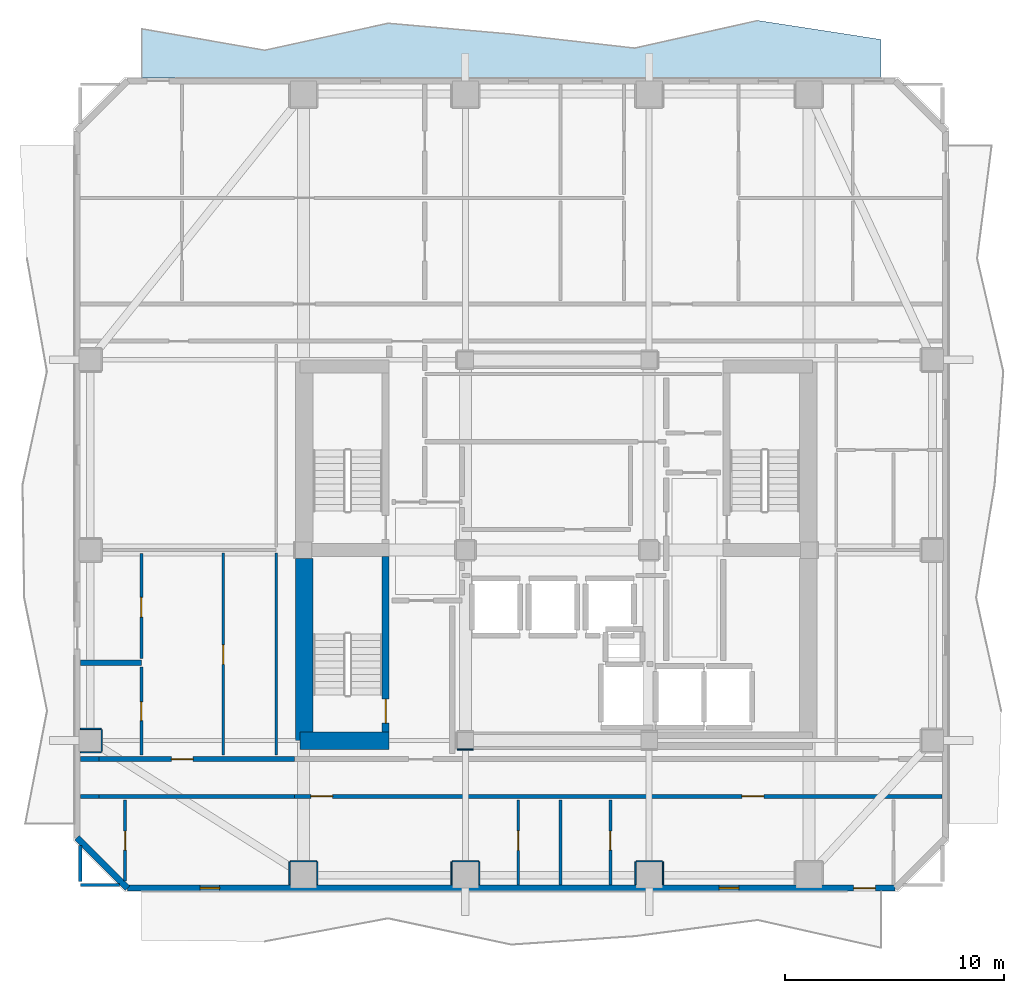
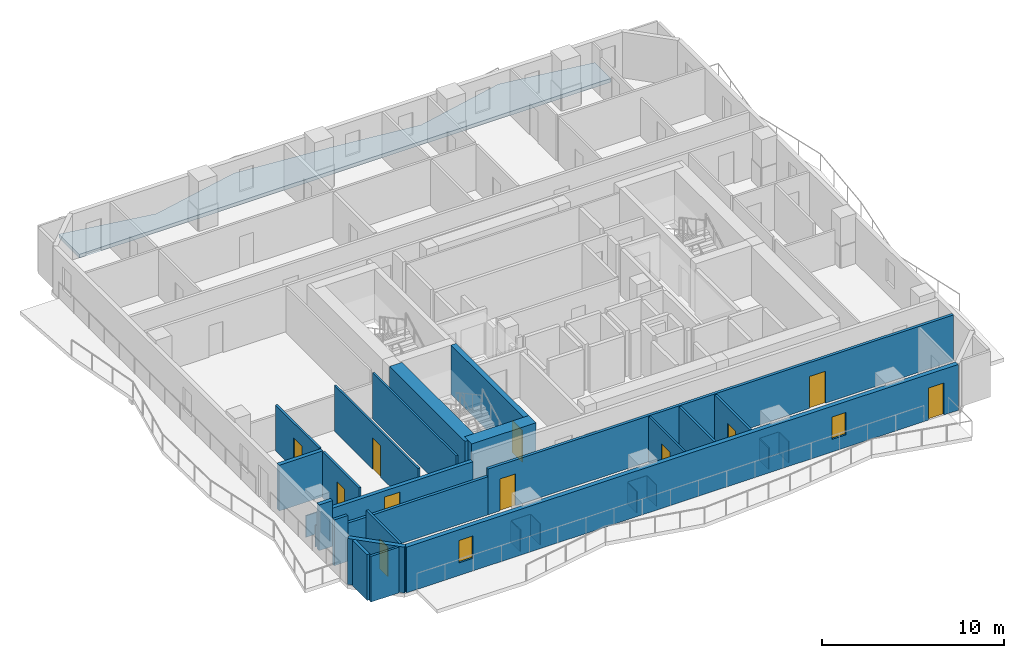
# One storey, part 2 of 11: 34 walls, 11 doors, 2 windows, 1 slab, 13 openings.
"""IFC4 building model written with IfcOpenShell, lengths in metres."""

from ifc_helpers import new_model, si_unit, direction, frame, frame_2d, origin, place, context, subcontext, project, spatial, polyline, rectangle, outline, extrude, material, layer, layer_set, type_object, element, fill, save


model = new_model("IFC4")

# Units and contexts
model_context = context("Model", 3, precision=1e-05, world=origin(), true_north=direction((0.0, 1.0)))
body_context = subcontext(model_context, "Body", "Model", "MODEL_VIEW")
ifc_project = project(units=[si_unit("LENGTHUNIT", "METRE"), si_unit("AREAUNIT", "SQUARE_METRE"), si_unit("VOLUMEUNIT", "CUBIC_METRE"), si_unit("PLANEANGLEUNIT", "RADIAN"), si_unit("MASSUNIT", "GRAM", prefix="KILO")], contexts=[model_context])

# Site, building, storey
site_placement = place(None, origin())
site = spatial("IfcSite", under=ifc_project, at=site_placement, CompositionType="ELEMENT")
building_placement = place(site_placement, origin())
building = spatial("IfcBuilding", under=site, at=building_placement, Name="Solanera Arch Residences", CompositionType="ELEMENT")
storey_placement = place(building_placement, frame((0.0, 0.0, 180.199951171875)))
storey = spatial("IfcBuildingStorey", under=building, at=storey_placement, Name="L52", CompositionType="ELEMENT", Elevation=180.199951171875)

# Slab
ifc_material_1 = material(Name="Concrete C40/50 (f'c = 45 MPa)", Category="concrete")
ifc_layer_1 = layer(ifc_material_1, 0.25)
ifc_layer_set_1 = layer_set([ifc_layer_1], Name="Concrete C40/50 (f'c = 45 MPa)")
slab_type = type_object("IfcSlabType", Name="Balcony Slab 250", PredefinedType="FLOOR", material=ifc_layer_set_1)
slab_placement = place(storey_placement, frame((0.0, 0.0, -0.25)))
element("IfcSlab", 1, at=slab_placement, inside=storey, type_object=slab_type, Name="L52 N Rippling Brise-Soleil Balcony Slab", PredefinedType="FLOOR", context=body_context, shape_type="SweptSolid", body=[
    extrude(outline(polyline([(39.800048828125, 54.0380859375), (34.1669921875, 54.906005859375), (28.532958984375, 53.64501953125), (22.89990234375, 54.285888671875), (17.26708984375, 54.780029296875), (11.633056640625, 53.548095703125), (6.0, 54.529052734375), (6.0, 52.280029296875), (39.800048828125, 52.280029296875), (39.800048828125, 54.0380859375)])), origin(), (0.0, 0.0, 1.0), 0.25),
])

# Walls
ifc_material_2 = material(Name="Fire-Rated Gypsum Stud Partition", Category="gypsum")
ifc_layer_2 = layer(ifc_material_2, 0.06005859375)
ifc_layer_set_2 = layer_set([ifc_layer_2], Name="Fire-Rated Gypsum Stud Partition")
wall_type_1 = type_object("IfcWallType", Name="Column Acoustic Furring Wall 60", PredefinedType="PARTITIONING", material=ifc_layer_set_2)
wall_1_placement = place(storey_placement, frame((20.425048828125, 21.593017578125, 0.0), z_axis=(0.0, 0.0, 1.0), x_axis=(1.0, 0.0, 0.0)))
element("IfcWall", 2, at=wall_1_placement, inside=storey, type_object=wall_type_1, Name="L52 Column Furring 1S", PredefinedType="PARTITIONING", context=body_context, shape_type="SweptSolid", body=[
    extrude(rectangle(XDim=0.741943359375, YDim=0.06005859375, at=frame_2d((0.37109375, 0.0))), origin(), (0.0, 0.0, 1.0), 1.449951171875),
])
wall_2_placement = place(storey_placement, frame((12.800048828125, 16.48193359375, 0.0), z_axis=(0.0, 0.0, 1.0), x_axis=(1.0, 0.0, 0.0)))
element("IfcWall", 3, at=wall_2_placement, inside=storey, type_object=wall_type_1, Name="L52 Column Furring 9N", PredefinedType="PARTITIONING", context=body_context, shape_type="SweptSolid", body=[
    extrude(rectangle(XDim=1.199951171875, YDim=0.06005859375, at=frame_2d((0.60009765625, 0.0))), origin(), (0.0, 0.0, 1.0), 1.449951171875),
])
for number, where, z_axis, x_axis, name in (
    (4, (12.76806640625, 15.409912109375, 0.0), (0.0, 0.0, 1.0), (0.0, 1.0, 0.0), "L52 Column Furring 9W"),
    (5, (14.031982421875, 15.409912109375, 0.0), (0.0, 0.0, 1.0), (0.0, 1.0, 0.0), "L52 Column Furring 9E"),
):
    element("IfcWall", number, at=place(storey_placement, frame(where, z_axis=z_axis, x_axis=x_axis)), inside=storey, type_object=wall_type_1, Name=name, PredefinedType="PARTITIONING", context=body_context, shape_type="SweptSolid", body=[
        extrude(rectangle(XDim=1.0400390625, YDim=0.06005859375, at=frame_2d((0.52001953125, 0.0))), origin(), (0.0, 0.0, 1.0), 1.449951171875),
    ])
wall_3_placement = place(storey_placement, frame((20.199951171875, 16.48193359375, 0.0), z_axis=(0.0, 0.0, 1.0), x_axis=(1.0, 0.0, 0.0)))
element("IfcWall", 6, at=wall_3_placement, inside=storey, type_object=wall_type_1, Name="L52 Column Furring 11N", PredefinedType="PARTITIONING", context=body_context, shape_type="SweptSolid", body=[
    extrude(rectangle(XDim=1.199951171875, YDim=0.06005859375, at=frame_2d((0.60009765625, 0.0))), origin(), (0.0, 0.0, 1.0), 1.449951171875),
])
for number, where, z_axis, x_axis, name in (
    (7, (20.16796875, 15.409912109375, 0.0), (0.0, 0.0, 1.0), (0.0, 1.0, 0.0), "L52 Column Furring 11W"),
    (8, (21.431884765625, 15.409912109375, 0.0), (0.0, 0.0, 1.0), (0.0, 1.0, 0.0), "L52 Column Furring 11E"),
):
    element("IfcWall", number, at=place(storey_placement, frame(where, z_axis=z_axis, x_axis=x_axis)), inside=storey, type_object=wall_type_1, Name=name, PredefinedType="PARTITIONING", context=body_context, shape_type="SweptSolid", body=[
        extrude(rectangle(XDim=1.0400390625, YDim=0.06005859375, at=frame_2d((0.52001953125, 0.0))), origin(), (0.0, 0.0, 1.0), 1.449951171875),
    ])
wall_4_placement = place(storey_placement, frame((28.60009765625, 16.48193359375, 0.0), z_axis=(0.0, 0.0, 1.0), x_axis=(1.0, 0.0, 0.0)))
element("IfcWall", 9, at=wall_4_placement, inside=storey, type_object=wall_type_1, Name="L52 Column Furring 13N", PredefinedType="PARTITIONING", context=body_context, shape_type="SweptSolid", body=[
    extrude(rectangle(XDim=1.199951171875, YDim=0.06005859375, at=frame_2d((0.60009765625, 0.0))), origin(), (0.0, 0.0, 1.0), 1.449951171875),
])
for number, where, z_axis, x_axis, name in (
    (10, (28.568115234375, 15.409912109375, 0.0), (0.0, 0.0, 1.0), (0.0, 1.0, 0.0), "L52 Column Furring 13W"),
    (11, (29.83203125, 15.409912109375, 0.0), (0.0, 0.0, 1.0), (0.0, 1.0, 0.0), "L52 Column Furring 13E"),
):
    element("IfcWall", number, at=place(storey_placement, frame(where, z_axis=z_axis, x_axis=x_axis)), inside=storey, type_object=wall_type_1, Name=name, PredefinedType="PARTITIONING", context=body_context, shape_type="SweptSolid", body=[
        extrude(rectangle(XDim=1.0400390625, YDim=0.06005859375, at=frame_2d((0.52001953125, 0.0))), origin(), (0.0, 0.0, 1.0), 1.449951171875),
    ])
for number, where, z_axis, x_axis, name in (
    (12, (3.2099609375, 21.468017578125, 0.0), (0.0, 0.0, 1.0), (1.0, 0.0, 0.0), "L52 Column Furring 17S"),
    (13, (3.2099609375, 22.531982421875, 0.0), (0.0, 0.0, 1.0), (1.0, 0.0, 0.0), "L52 Column Furring 17N"),
):
    element("IfcWall", number, at=place(storey_placement, frame(where, z_axis=z_axis, x_axis=x_axis)), inside=storey, type_object=wall_type_1, Name=name, PredefinedType="PARTITIONING", context=body_context, shape_type="SweptSolid", body=[
        extrude(rectangle(XDim=0.93994140625, YDim=0.06005859375, at=frame_2d((0.469970703125, 0.0))), origin(), (0.0, 0.0, 1.0), 1.449951171875),
    ])
wall_5_placement = place(storey_placement, frame((4.181884765625, 21.5, 0.0), z_axis=(0.0, 0.0, 1.0), x_axis=(0.0, 1.0, 0.0)))
element("IfcWall", 14, at=wall_5_placement, inside=storey, type_object=wall_type_1, Name="L52 Column Furring 17E", PredefinedType="PARTITIONING", context=body_context, shape_type="SweptSolid", body=[
    extrude(rectangle(XDim=1.0, YDim=0.06005859375, at=frame_2d((0.5, 0.0))), origin(), (0.0, 0.0, 1.0), 1.449951171875),
])

# Wall, opening, door
ifc_material_3 = material(Name="Concrete C40/50 (f'c = 45 MPa)", Category="concrete")
ifc_layer_3 = layer(ifc_material_3, 0.320068359375)
ifc_layer_set_3 = layer_set([ifc_layer_3], Name="Concrete C40/50 (f'c = 45 MPa)")
wall_type_2 = type_object("IfcWallType", Name="Core Shear Wall CW-320", PredefinedType="SHEAR", material=ifc_layer_set_3)
wall_6_placement = place(storey_placement, frame((17.159912109375, 22.39990234375, 0.0), z_axis=(0.0, 0.0, 1.0), x_axis=(0.0, 1.0, 0.0)))
wall_6 = element("IfcWall", 15, at=wall_6_placement, inside=storey, type_object=wall_type_2, Name="L52 Stair ST-T3 East Shear Wall", PredefinedType="SHEAR", context=body_context, shape_type="SweptSolid", body=[
    extrude(rectangle(XDim=8.0, YDim=0.320068359375, at=frame_2d((4.0, 0.0))), origin(), (0.0, 0.0, 1.0), 3.320068359375),
])
opening_1_placement = place(wall_6_placement, frame((0.389892578125, 0.0, 0.0)))
opening_1 = element("IfcOpeningElement", 16, at=opening_1_placement, cuts=wall_6, Name="Opening DF-01", PredefinedType="OPENING", context=body_context, shape_type="SweptSolid", body=[
    extrude(rectangle(XDim=1.10009765625, YDim=2.14990234375, at=frame_2d((0.550048828125, 1.074951171875))), frame((0.0, 0.169921875, 0.0), z_axis=(0.0, -1.0, 0.0), x_axis=(1.0, 0.0, 0.0)), (0.0, 0.0, 1.0), 0.3401),
])
ifc_material_4 = material(Name="Fire-Rated Architectural Hardwood", Category="wood")
door_type_1 = type_object("IfcDoorType", Name="Stair Exit Fire Door DF-01", OperationType="NOTDEFINED", PredefinedType="DOOR", material=ifc_material_4)
door_1_placement = place(opening_1_placement, origin())
door_1 = element("IfcDoor", 17, at=door_1_placement, inside=storey, type_object=door_type_1, Name="DR-L52-STAIR-ST-T3", OperationType="SINGLE_SWING_LEFT", OverallHeight=2.14990234375, OverallWidth=1.10009765625, PredefinedType="DOOR", context=body_context, shape_type="SweptSolid", body=[
    extrude(rectangle(XDim=1.10009765625, YDim=2.14990234375, at=frame_2d((0.550048828125, 1.074951171875))), frame((0.0, 0.02490234375, 0.0), z_axis=(0.0, -1.0, 0.0), x_axis=(1.0, 0.0, 0.0)), (0.0, 0.0, 1.0), 0.050048828125),
])
fill(opening_1, door_1)

# Walls
ifc_material_5 = material(Name="Concrete C40/50 (f'c = 45 MPa)", Category="concrete")
ifc_layer_4 = layer(ifc_material_5, 0.800048828125)
ifc_layer_set_4 = layer_set([ifc_layer_4], Name="Concrete C40/50 (f'c = 45 MPa)")
wall_type_3 = type_object("IfcWallType", Name="Core Shear Wall CW-800", PredefinedType="SHEAR", material=ifc_layer_set_4)
wall_7_placement = place(storey_placement, frame((13.43994140625, 22.0, 0.0), z_axis=(0.0, 0.0, 1.0), x_axis=(0.0, 1.0, 0.0)))
element("IfcWall", 18, at=wall_7_placement, inside=storey, type_object=wall_type_3, Name="L52 West Core South Shear Wall", PredefinedType="SHEAR", context=body_context, shape_type="SweptSolid", body=[
    extrude(rectangle(XDim=8.320068359375, YDim=0.800048828125, at=frame_2d((4.16015625, 0.0))), origin(), (0.0, 0.0, 1.0), 3.320068359375),
])
wall_8_placement = place(storey_placement, frame((13.239990234375, 22.0, 0.0), z_axis=(0.0, 0.0, 1.0), x_axis=(1.0, 0.0, 0.0)))
element("IfcWall", 19, at=wall_8_placement, inside=storey, type_object=wall_type_3, Name="L52 South-West Core Shear Wall", PredefinedType="SHEAR", context=body_context, shape_type="SweptSolid", body=[
    extrude(rectangle(XDim=4.080078125, YDim=0.800048828125, at=frame_2d((2.0400390625, 0.0))), origin(), (0.0, 0.0, 1.0), 3.320068359375),
])
ifc_material_6 = material(Name="Autoclaved Aerated Concrete Blockwork", Category="masonry")
ifc_layer_5 = layer(ifc_material_6, 0.179931640625)
ifc_layer_set_5 = layer_set([ifc_layer_5], Name="Autoclaved Aerated Concrete Blockwork")
wall_type_4 = type_object("IfcWallType", Name="Corridor Fire Partition 180", PredefinedType="PARTITIONING", material=ifc_layer_set_5)
wall_9_placement = place(storey_placement, frame((3.20703125, 19.449951171875, 0.0), z_axis=(0.0, 0.0, 1.0), x_axis=(1.0, 0.0, 0.0)))
element("IfcWall", 20, at=wall_9_placement, inside=storey, type_object=wall_type_4, Name="L52 Interior Partition H8 1", PredefinedType="PARTITIONING", context=body_context, shape_type="SweptSolid", body=[
    extrude(rectangle(XDim=0.85986328125, YDim=0.179931640625, at=frame_2d((0.429931640625, 0.0))), origin(), (0.0, 0.0, 1.0), 3.080078125),
])
wall_10_placement = place(storey_placement, frame((4.06689453125, 19.449951171875, 0.0), z_axis=(0.0, 0.0, 1.0), x_axis=(1.0, 0.0, 0.0)))
element("IfcWall", 21, at=wall_10_placement, inside=storey, type_object=wall_type_4, Name="L52 Interior Partition H8 2", PredefinedType="PARTITIONING", context=body_context, shape_type="SweptSolid", body=[
    extrude(rectangle(XDim=8.916015625, YDim=0.179931640625, at=frame_2d((4.4580078125, 0.0))), origin(), (0.0, 0.0, 1.0), 2.56494140625),
])

# Wall, openings, doors
wall_11_placement = place(storey_placement, frame((12.98291015625, 19.449951171875, 0.0), z_axis=(0.0, 0.0, 1.0), x_axis=(1.0, 0.0, 0.0)))
wall_11 = element("IfcWall", 22, at=wall_11_placement, inside=storey, type_object=wall_type_4, Name="L52 Interior Partition H8 3", PredefinedType="PARTITIONING", context=body_context, shape_type="SweptSolid", body=[
    extrude(rectangle(XDim=29.610107421875, YDim=0.179931640625, at=frame_2d((14.80517578125, 0.0))), origin(), (0.0, 0.0, 1.0), 3.080078125),
])
opening_2_placement = place(wall_11_placement, frame((0.75390625, 0.0, 0.0)))
opening_2 = element("IfcOpeningElement", 23, at=opening_2_placement, cuts=wall_11, Name="Opening DI-01", PredefinedType="OPENING", context=body_context, shape_type="SweptSolid", body=[
    extrude(rectangle(XDim=1.0, YDim=2.14990234375, at=frame_2d((0.5, 1.074951171875))), frame((0.0, 0.10009765625, 0.0), z_axis=(0.0, -1.0, 0.0), x_axis=(1.0, 0.0, 0.0)), (0.0, 0.0, 1.0), 0.1999),
])
opening_3_placement = place(wall_11_placement, frame((20.4541015625, 0.0, 0.0)))
opening_3 = element("IfcOpeningElement", 24, at=opening_3_placement, cuts=wall_11, Name="Opening DI-01", PredefinedType="OPENING", context=body_context, shape_type="SweptSolid", body=[
    extrude(rectangle(XDim=1.0, YDim=2.14990234375, at=frame_2d((0.5, 1.074951171875))), frame((0.0, 0.10009765625, 0.0), z_axis=(0.0, -1.0, 0.0), x_axis=(1.0, 0.0, 0.0)), (0.0, 0.0, 1.0), 0.1999),
])
ifc_material_7 = material(Name="Fire-Rated Architectural Hardwood", Category="wood")
door_type_2 = type_object("IfcDoorType", Name="Unit Entrance Fire Door DI-01", OperationType="NOTDEFINED", PredefinedType="DOOR", material=ifc_material_7)
door_2_placement = place(opening_2_placement, origin())
door_2 = element("IfcDoor", 25, at=door_2_placement, inside=storey, type_object=door_type_2, Name="DR-L52-IN-014", OperationType="SINGLE_SWING_RIGHT", OverallHeight=2.14990234375, OverallWidth=1.0, PredefinedType="DOOR", context=body_context, shape_type="SweptSolid", body=[
    extrude(rectangle(XDim=1.0, YDim=2.14990234375, at=frame_2d((0.5, 1.074951171875))), frame((0.0, 0.02490234375, 0.0), z_axis=(0.0, -1.0, 0.0), x_axis=(1.0, 0.0, 0.0)), (0.0, 0.0, 1.0), 0.050048828125),
])
fill(opening_2, door_2)
door_3_placement = place(opening_3_placement, origin())
door_3 = element("IfcDoor", 26, at=door_3_placement, inside=storey, type_object=door_type_2, Name="DR-L52-IN-017", OperationType="SINGLE_SWING_LEFT", OverallHeight=2.14990234375, OverallWidth=1.0, PredefinedType="DOOR", context=body_context, shape_type="SweptSolid", body=[
    extrude(rectangle(XDim=1.0, YDim=2.14990234375, at=frame_2d((0.5, 1.074951171875))), frame((0.0, 0.02490234375, 0.0), z_axis=(0.0, -1.0, 0.0), x_axis=(1.0, 0.0, 0.0)), (0.0, 0.0, 1.0), 0.050048828125),
])
fill(opening_3, door_3)

# Wall
wall_12_placement = place(storey_placement, frame((3.199951171875, 15.568115234375, 0.0), z_axis=(0.0, 0.0, 1.0), x_axis=(0.0, 1.0, 0.0)))
element("IfcWall", 27, at=wall_12_placement, inside=storey, type_object=wall_type_4, Name="L52 Interior Partition V8 1", PredefinedType="PARTITIONING", context=body_context, shape_type="SweptSolid", body=[
    extrude(rectangle(XDim=1.626953125, YDim=0.179931640625, at=frame_2d((0.8134765625, 0.0))), origin(), (0.0, 0.0, 1.0), 3.080078125),
])

# Wall, openings, door, windows
ifc_material_8 = material(Name="Precast Concrete C35/45", Category="concrete")
ifc_layer_6 = layer(ifc_material_8, 0.280029296875)
ifc_layer_set_6 = layer_set([ifc_layer_6], Name="Precast Concrete C35/45")
wall_type_5 = type_object("IfcWallType", Name="Exterior Wall Precast Masonry-Frame 280", PredefinedType="STANDARD", material=ifc_layer_set_6)
wall_13_placement = place(storey_placement, frame((40.445068359375, 15.2548828125, 0.0), z_axis=(0.0, 0.0, 1.0), x_axis=(-1.0, 0.0, 0.0)))
wall_13 = element("IfcWall", 28, at=wall_13_placement, inside=storey, type_object=wall_type_5, Name="L52 Tower Exterior Precast Masonry-Frame Wall S", PredefinedType="STANDARD", context=body_context, shape_type="SweptSolid", body=[
    extrude(rectangle(XDim=35.090087890625, YDim=0.280029296875, at=frame_2d((17.544921875, 0.0))), origin(), (0.0, 0.0, 1.0), 3.080078125),
])
opening_4_placement = place(wall_13_placement, frame((0.904052734375, 0.0, 0.0)))
opening_4 = element("IfcOpeningElement", 29, at=opening_4_placement, cuts=wall_13, Name="Opening DB-01", PredefinedType="OPENING", context=body_context, shape_type="SweptSolid", body=[
    extrude(rectangle(XDim=1.0, YDim=2.14990234375, at=frame_2d((0.5, 1.074951171875))), frame((0.0, 0.14990234375, 0.0), z_axis=(0.0, -1.0, 0.0), x_axis=(1.0, 0.0, 0.0)), (0.0, 0.0, 1.0), 0.3),
])
opening_5_placement = place(wall_13_placement, frame((30.873046875, 0.0, 0.85009765625)))
opening_5 = element("IfcOpeningElement", 30, at=opening_5_placement, cuts=wall_13, Name="Opening W-06", PredefinedType="OPENING", context=body_context, shape_type="SweptSolid", body=[
    extrude(rectangle(XDim=0.89990234375, YDim=1.5, at=frame_2d((0.449951171875, 0.75))), frame((0.0, 0.14990234375, 0.0), z_axis=(0.0, -1.0, 0.0), x_axis=(1.0, 0.0, 0.0)), (0.0, 0.0, 1.0), 0.3),
])
opening_6_placement = place(wall_13_placement, frame((7.14501953125, 0.0, 0.85009765625)))
opening_6 = element("IfcOpeningElement", 31, at=opening_6_placement, cuts=wall_13, Name="Opening W-06", PredefinedType="OPENING", context=body_context, shape_type="SweptSolid", body=[
    extrude(rectangle(XDim=0.89990234375, YDim=1.5, at=frame_2d((0.449951171875, 0.75))), frame((0.0, 0.14990234375, 0.0), z_axis=(0.0, -1.0, 0.0), x_axis=(1.0, 0.0, 0.0)), (0.0, 0.0, 1.0), 0.3),
])
ifc_material_9 = material(Name="Anodised Aluminium Alloy 6063-T6", Category="aluminium")
door_type_3 = type_object("IfcDoorType", Name="Glazed Balcony Swing Door DB-01", OperationType="NOTDEFINED", PredefinedType="DOOR", material=ifc_material_9)
door_4_placement = place(opening_4_placement, origin())
door_4 = element("IfcDoor", 32, at=door_4_placement, inside=storey, type_object=door_type_3, Name="DR-L52-OUT-01", OperationType="SINGLE_SWING_RIGHT", OverallHeight=2.14990234375, OverallWidth=1.0, PredefinedType="DOOR", context=body_context, shape_type="SweptSolid", body=[
    extrude(rectangle(XDim=1.0, YDim=2.14990234375, at=frame_2d((0.5, 1.074951171875))), frame((0.0, 0.02490234375, 0.0), z_axis=(0.0, -1.0, 0.0), x_axis=(1.0, 0.0, 0.0)), (0.0, 0.0, 1.0), 0.050048828125),
])
fill(opening_4, door_4)
ifc_material_10 = material(Name="Double Glazed Low-E Laminated Glass", Category="glass")
window_type = type_object("IfcWindowType", Name="Punched Window W-06", PartitioningType="SINGLE_PANEL", PredefinedType="WINDOW", material=ifc_material_10)
window_1_placement = place(opening_5_placement, origin())
window_1 = element("IfcWindow", 33, at=window_1_placement, inside=storey, type_object=window_type, Name="L52 5201-LIV Punched Window", OverallHeight=1.5, OverallWidth=0.89990234375, PartitioningType="SINGLE_PANEL", PredefinedType="WINDOW", context=body_context, shape_type="SweptSolid", body=[
    extrude(rectangle(XDim=0.89990234375, YDim=1.5, at=frame_2d((0.449951171875, 0.75))), frame((0.0, 0.030029296875, 0.0), z_axis=(0.0, -1.0, 0.0), x_axis=(1.0, 0.0, 0.0)), (0.0, 0.0, 1.0), 0.06005859375),
])
fill(opening_5, window_1)
window_2_placement = place(opening_6_placement, origin())
window_2 = element("IfcWindow", 34, at=window_2_placement, inside=storey, type_object=window_type, Name="L52 5202-LIV Punched Window", OverallHeight=1.5, OverallWidth=0.89990234375, PartitioningType="SINGLE_PANEL", PredefinedType="WINDOW", context=body_context, shape_type="SweptSolid", body=[
    extrude(rectangle(XDim=0.89990234375, YDim=1.5, at=frame_2d((0.449951171875, 0.75))), frame((0.0, 0.030029296875, 0.0), z_axis=(0.0, -1.0, 0.0), x_axis=(1.0, 0.0, 0.0)), (0.0, 0.0, 1.0), 0.06005859375),
])
fill(opening_6, window_2)

# Walls
wall_14_placement = place(storey_placement, frame((5.35498046875, 15.2548828125, 0.0), z_axis=(0.0, 0.0, 1.0), x_axis=(-0.707106781187, 0.707106781187, 0.0)))
element("IfcWall", 35, at=wall_14_placement, inside=storey, type_object=wall_type_5, Name="L52 Tower Exterior Precast Masonry-Frame Wall CH7", PredefinedType="STANDARD", context=body_context, shape_type="SweptSolid", body=[
    extrude(rectangle(XDim=3.252685546875, YDim=0.280029296875, at=frame_2d((1.62646484375, 0.0))), origin(), (0.0, 0.0, 1.0), 3.080078125),
])
ifc_material_11 = material(Name="Autoclaved Aerated Concrete Blockwork", Category="masonry")
ifc_layer_7 = layer(ifc_material_11, 0.239990234375)
ifc_layer_set_7 = layer_set([ifc_layer_7], Name="Autoclaved Aerated Concrete Blockwork")
wall_type_6 = type_object("IfcWallType", Name="Shaft Wall Fire-Rated 240", PredefinedType="PARTITIONING", material=ifc_layer_set_7)
wall_15_placement = place(storey_placement, frame((3.20703125, 21.14990234375, 0.0), z_axis=(0.0, 0.0, 1.0), x_axis=(1.0, 0.0, 0.0)))
element("IfcWall", 36, at=wall_15_placement, inside=storey, type_object=wall_type_6, Name="L52 Interior Partition H1 1", PredefinedType="PARTITIONING", context=body_context, shape_type="SweptSolid", body=[
    extrude(rectangle(XDim=0.85986328125, YDim=0.239990234375, at=frame_2d((0.429931640625, 0.0))), origin(), (0.0, 0.0, 1.0), 3.080078125),
])

# Wall, opening, door
wall_16_placement = place(storey_placement, frame((4.06689453125, 21.14990234375, 0.0), z_axis=(0.0, 0.0, 1.0), x_axis=(1.0, 0.0, 0.0)))
wall_16 = element("IfcWall", 37, at=wall_16_placement, inside=storey, type_object=wall_type_6, Name="L52 Interior Partition H1 2", PredefinedType="PARTITIONING", context=body_context, shape_type="SweptSolid", body=[
    extrude(rectangle(XDim=8.916015625, YDim=0.239990234375, at=frame_2d((4.4580078125, 0.0))), origin(), (0.0, 0.0, 1.0), 2.56494140625),
])
opening_7_placement = place(wall_16_placement, frame((3.2939453125, 0.0, 0.0)))
opening_7 = element("IfcOpeningElement", 38, at=opening_7_placement, cuts=wall_16, Name="Opening DI-01", PredefinedType="OPENING", context=body_context, shape_type="SweptSolid", body=[
    extrude(rectangle(XDim=1.0, YDim=2.14990234375, at=frame_2d((0.5, 1.074951171875))), frame((0.0, 0.1298828125, 0.0), z_axis=(0.0, -1.0, 0.0), x_axis=(1.0, 0.0, 0.0)), (0.0, 0.0, 1.0), 0.26),
])
door_5_placement = place(opening_7_placement, origin())
door_5 = element("IfcDoor", 39, at=door_5_placement, inside=storey, type_object=door_type_2, Name="DR-L52-IN-033", OperationType="SINGLE_SWING_LEFT", OverallHeight=2.14990234375, OverallWidth=1.0, PredefinedType="DOOR", context=body_context, shape_type="SweptSolid", body=[
    extrude(rectangle(XDim=1.0, YDim=2.14990234375, at=frame_2d((0.5, 1.074951171875))), frame((0.0, 0.02490234375, 0.0), z_axis=(0.0, -1.0, 0.0), x_axis=(1.0, 0.0, 0.0)), (0.0, 0.0, 1.0), 0.050048828125),
])
fill(opening_7, door_5)

# Wall
wall_17_placement = place(storey_placement, frame((3.20703125, 25.550048828125, 0.0), z_axis=(0.0, 0.0, 1.0), x_axis=(1.0, 0.0, 0.0)))
element("IfcWall", 40, at=wall_17_placement, inside=storey, type_object=wall_type_6, Name="L52 Interior Partition H2", PredefinedType="PARTITIONING", context=body_context, shape_type="SweptSolid", body=[
    extrude(rectangle(XDim=2.781005859375, YDim=0.239990234375, at=frame_2d((1.390625, 0.0))), origin(), (0.0, 0.0, 1.0), 3.080078125),
])

# Wall, opening, door
ifc_material_12 = material(Name="Fire-Rated Gypsum Stud Partition", Category="gypsum")
ifc_layer_8 = layer(ifc_material_12, 0.1201171875)
ifc_layer_set_8 = layer_set([ifc_layer_8], Name="Fire-Rated Gypsum Stud Partition")
wall_type_7 = type_object("IfcWallType", Name="Unit Drywall Partition 120", PredefinedType="PARTITIONING", material=ifc_layer_set_8)
wall_18_placement = place(storey_placement, frame((9.73291015625, 21.337890625, 0.0), z_axis=(0.0, 0.0, 1.0), x_axis=(0.0, 1.0, 0.0)))
wall_18 = element("IfcWall", 41, at=wall_18_placement, inside=storey, type_object=wall_type_7, Name="L52 Interior Partition V20", PredefinedType="PARTITIONING", context=body_context, shape_type="SweptSolid", body=[
    extrude(rectangle(XDim=9.22412109375, YDim=0.1201171875, at=frame_2d((4.612060546875, 0.0))), origin(), (0.0, 0.0, 1.0), 3.080078125),
])
opening_8_placement = place(wall_18_placement, frame((4.136962890625, 0.0, 0.0)))
opening_8 = element("IfcOpeningElement", 42, at=opening_8_placement, cuts=wall_18, Name="Opening DI-02", PredefinedType="OPENING", context=body_context, shape_type="SweptSolid", body=[
    extrude(rectangle(XDim=0.89990234375, YDim=2.10009765625, at=frame_2d((0.449951171875, 1.050048828125))), frame((0.0, 0.070068359375, 0.0), z_axis=(0.0, -1.0, 0.0), x_axis=(1.0, 0.0, 0.0)), (0.0, 0.0, 1.0), 0.1401),
])
ifc_material_13 = material(Name="Fire-Rated Architectural Hardwood", Category="wood")
door_type_4 = type_object("IfcDoorType", Name="Suite Room Swing Door DI-02", OperationType="NOTDEFINED", PredefinedType="DOOR", material=ifc_material_13)
door_6_placement = place(opening_8_placement, origin())
door_6 = element("IfcDoor", 43, at=door_6_placement, inside=storey, type_object=door_type_4, Name="DR-L52-IN-036", OperationType="SINGLE_SWING_RIGHT", OverallHeight=2.10009765625, OverallWidth=0.89990234375, PredefinedType="DOOR", context=body_context, shape_type="SweptSolid", body=[
    extrude(rectangle(XDim=0.89990234375, YDim=2.10009765625, at=frame_2d((0.449951171875, 1.050048828125))), frame((0.0, 0.02490234375, 0.0), z_axis=(0.0, -1.0, 0.0), x_axis=(1.0, 0.0, 0.0)), (0.0, 0.0, 1.0), 0.050048828125),
])
fill(opening_8, door_6)

# Wall
wall_19_placement = place(storey_placement, frame((12.14990234375, 21.337890625, 0.0), z_axis=(0.0, 0.0, 1.0), x_axis=(0.0, 1.0, 0.0)))
element("IfcWall", 44, at=wall_19_placement, inside=storey, type_object=wall_type_7, Name="L52 Interior Partition V21 1", PredefinedType="PARTITIONING", context=body_context, shape_type="SweptSolid", body=[
    extrude(rectangle(XDim=9.22412109375, YDim=0.1201171875, at=frame_2d((4.612060546875, 0.0))), origin(), (0.0, 0.0, 1.0), 3.080078125),
])

# Wall, opening, door
wall_20_placement = place(storey_placement, frame((23.22412109375, 15.406982421875, 0.0), z_axis=(0.0, 0.0, 1.0), x_axis=(0.0, 1.0, 0.0)))
wall_20 = element("IfcWall", 45, at=wall_20_placement, inside=storey, type_object=wall_type_7, Name="L52 Interior Partition V22", PredefinedType="PARTITIONING", context=body_context, shape_type="SweptSolid", body=[
    extrude(rectangle(XDim=3.885009765625, YDim=0.1201171875, at=frame_2d((1.9423828125, 0.0))), origin(), (0.0, 0.0, 1.0), 3.080078125),
])
opening_9_placement = place(wall_20_placement, frame((1.568115234375, 0.0, 0.0)))
opening_9 = element("IfcOpeningElement", 46, at=opening_9_placement, cuts=wall_20, Name="Opening DI-02", PredefinedType="OPENING", context=body_context, shape_type="SweptSolid", body=[
    extrude(rectangle(XDim=0.89990234375, YDim=2.10009765625, at=frame_2d((0.449951171875, 1.050048828125))), frame((0.0, 0.070068359375, 0.0), z_axis=(0.0, -1.0, 0.0), x_axis=(1.0, 0.0, 0.0)), (0.0, 0.0, 1.0), 0.1401),
])
door_7_placement = place(opening_9_placement, origin())
door_7 = element("IfcDoor", 47, at=door_7_placement, inside=storey, type_object=door_type_4, Name="DR-L52-IN-016", OperationType="SINGLE_SWING_RIGHT", OverallHeight=2.10009765625, OverallWidth=0.89990234375, PredefinedType="DOOR", context=body_context, shape_type="SweptSolid", body=[
    extrude(rectangle(XDim=0.89990234375, YDim=2.10009765625, at=frame_2d((0.449951171875, 1.050048828125))), frame((0.0, 0.02490234375, 0.0), z_axis=(0.0, -1.0, 0.0), x_axis=(1.0, 0.0, 0.0)), (0.0, 0.0, 1.0), 0.050048828125),
])
fill(opening_9, door_7)

# Wall
ifc_material_14 = material(Name="Autoclaved Aerated Concrete Blockwork", Category="masonry")
ifc_layer_9 = layer(ifc_material_14, 0.139892578125)
ifc_layer_set_9 = layer_set([ifc_layer_9], Name="Autoclaved Aerated Concrete Blockwork")
wall_type_8 = type_object("IfcWallType", Name="Wet-Room Partition 140", PredefinedType="PARTITIONING", material=ifc_layer_set_9)
wall_21_placement = place(storey_placement, frame((3.199951171875, 15.39990234375, 0.0), z_axis=(0.0, 0.0, 1.0), x_axis=(1.0, 0.0, 0.0)))
element("IfcWall", 48, at=wall_21_placement, inside=storey, type_object=wall_type_8, Name="L52 Interior Partition H14 1", PredefinedType="PARTITIONING", context=body_context, shape_type="SweptSolid", body=[
    extrude(rectangle(XDim=1.795166015625, YDim=0.139892578125, at=frame_2d((0.8974609375, 0.0))), origin(), (0.0, 0.0, 1.0), 3.080078125),
])

# Wall, opening, door
wall_22_placement = place(storey_placement, frame((5.25, 15.574951171875, 0.0), z_axis=(0.0, 0.0, 1.0), x_axis=(0.0, 1.0, 0.0)))
wall_22 = element("IfcWall", 49, at=wall_22_placement, inside=storey, type_object=wall_type_8, Name="L52 Interior Partition V11", PredefinedType="PARTITIONING", context=body_context, shape_type="SweptSolid", body=[
    extrude(rectangle(XDim=3.70703125, YDim=0.139892578125, at=frame_2d((1.853515625, 0.0))), origin(), (0.0, 0.0, 1.0), 3.080078125),
])
opening_10_placement = place(wall_22_placement, frame((1.419921875, 0.0, 0.0)))
opening_10 = element("IfcOpeningElement", 50, at=opening_10_placement, cuts=wall_22, Name="Opening DI-05", PredefinedType="OPENING", context=body_context, shape_type="SweptSolid", body=[
    extrude(rectangle(XDim=0.860107421875, YDim=2.02001953125, at=frame_2d((0.43017578125, 1.010009765625))), frame((0.0, 0.079833984375, 0.0), z_axis=(0.0, -1.0, 0.0), x_axis=(1.0, 0.0, 0.0)), (0.0, 0.0, 1.0), 0.1599),
])
ifc_material_15 = material(Name="Fire-Rated Architectural Hardwood", Category="wood")
door_type_5 = type_object("IfcDoorType", Name="Bathroom Swing Door DI-05", OperationType="NOTDEFINED", PredefinedType="DOOR", material=ifc_material_15)
door_8_placement = place(opening_10_placement, origin())
door_8 = element("IfcDoor", 51, at=door_8_placement, inside=storey, type_object=door_type_5, Name="DR-L52-IN-015", OperationType="SINGLE_SWING_LEFT", OverallHeight=2.02001953125, OverallWidth=0.860107421875, PredefinedType="DOOR", context=body_context, shape_type="SweptSolid", body=[
    extrude(rectangle(XDim=0.860107421875, YDim=2.02001953125, at=frame_2d((0.43017578125, 1.010009765625))), frame((0.0, 0.02490234375, 0.0), z_axis=(0.0, -1.0, 0.0), x_axis=(1.0, 0.0, 0.0)), (0.0, 0.0, 1.0), 0.050048828125),
])
fill(opening_10, door_8)

wall_23_placement = place(storey_placement, frame((5.988037109375, 21.347900390625, 0.0), z_axis=(0.0, 0.0, 1.0), x_axis=(0.0, 1.0, 0.0)))
wall_23 = element("IfcWall", 52, at=wall_23_placement, inside=storey, type_object=wall_type_8, Name="L52 Interior Partition V12 1", PredefinedType="PARTITIONING", context=body_context, shape_type="SweptSolid", body=[
    extrude(rectangle(XDim=4.004150390625, YDim=0.139892578125, at=frame_2d((2.001953125, 0.0))), origin(), (0.0, 0.0, 1.0), 3.080078125),
])
opening_11_placement = place(wall_23_placement, frame((1.56005859375, 0.0, 0.0)))
opening_11 = element("IfcOpeningElement", 53, at=opening_11_placement, cuts=wall_23, Name="Opening DI-05", PredefinedType="OPENING", context=body_context, shape_type="SweptSolid", body=[
    extrude(rectangle(XDim=0.860107421875, YDim=2.02001953125, at=frame_2d((0.43017578125, 1.010009765625))), frame((0.0, 0.079833984375, 0.0), z_axis=(0.0, -1.0, 0.0), x_axis=(1.0, 0.0, 0.0)), (0.0, 0.0, 1.0), 0.1599),
])
door_9_placement = place(opening_11_placement, origin())
door_9 = element("IfcDoor", 54, at=door_9_placement, inside=storey, type_object=door_type_5, Name="DR-L52-IN-034", OperationType="SINGLE_SWING_RIGHT", OverallHeight=2.02001953125, OverallWidth=0.860107421875, PredefinedType="DOOR", context=body_context, shape_type="SweptSolid", body=[
    extrude(rectangle(XDim=0.860107421875, YDim=2.02001953125, at=frame_2d((0.43017578125, 1.010009765625))), frame((0.0, 0.02490234375, 0.0), z_axis=(0.0, -1.0, 0.0), x_axis=(1.0, 0.0, 0.0)), (0.0, 0.0, 1.0), 0.050048828125),
])
fill(opening_11, door_9)

wall_24_placement = place(storey_placement, frame((5.988037109375, 25.748046875, 0.0), z_axis=(0.0, 0.0, 1.0), x_axis=(0.0, 1.0, 0.0)))
wall_24 = element("IfcWall", 55, at=wall_24_placement, inside=storey, type_object=wall_type_8, Name="L52 Interior Partition V12 2", PredefinedType="PARTITIONING", context=body_context, shape_type="SweptSolid", body=[
    extrude(rectangle(XDim=4.803955078125, YDim=0.139892578125, at=frame_2d((2.40185546875, 0.0))), origin(), (0.0, 0.0, 1.0), 3.080078125),
])
opening_12_placement = place(wall_24_placement, frame((1.888916015625, 0.0, 0.0)))
opening_12 = element("IfcOpeningElement", 56, at=opening_12_placement, cuts=wall_24, Name="Opening DI-03", PredefinedType="OPENING", context=body_context, shape_type="SweptSolid", body=[
    extrude(rectangle(XDim=0.89990234375, YDim=2.10009765625, at=frame_2d((0.449951171875, 1.050048828125))), frame((0.0, 0.079833984375, 0.0), z_axis=(0.0, -1.0, 0.0), x_axis=(1.0, 0.0, 0.0)), (0.0, 0.0, 1.0), 0.1599),
])
ifc_material_16 = material(Name="Fire-Rated Architectural Hardwood", Category="wood")
door_type_6 = type_object("IfcDoorType", Name="Bedroom Swing Door DI-03", OperationType="NOTDEFINED", PredefinedType="DOOR", material=ifc_material_16)
door_10_placement = place(opening_12_placement, origin())
door_10 = element("IfcDoor", 57, at=door_10_placement, inside=storey, type_object=door_type_6, Name="DR-L52-IN-035", OperationType="SINGLE_SWING_LEFT", OverallHeight=2.10009765625, OverallWidth=0.89990234375, PredefinedType="DOOR", context=body_context, shape_type="SweptSolid", body=[
    extrude(rectangle(XDim=0.89990234375, YDim=2.10009765625, at=frame_2d((0.449951171875, 1.050048828125))), frame((0.0, 0.02490234375, 0.0), z_axis=(0.0, -1.0, 0.0), x_axis=(1.0, 0.0, 0.0)), (0.0, 0.0, 1.0), 0.050048828125),
])
fill(opening_12, door_10)

# Wall
wall_25_placement = place(storey_placement, frame((25.154052734375, 15.406982421875, 0.0), z_axis=(0.0, 0.0, 1.0), x_axis=(0.0, 1.0, 0.0)))
element("IfcWall", 58, at=wall_25_placement, inside=storey, type_object=wall_type_8, Name="L52 Interior Partition V14", PredefinedType="PARTITIONING", context=body_context, shape_type="SweptSolid", body=[
    extrude(rectangle(XDim=3.875, YDim=0.139892578125, at=frame_2d((1.9375, 0.0))), origin(), (0.0, 0.0, 1.0), 3.080078125),
])

# Wall, opening, door
wall_26_placement = place(storey_placement, frame((27.424072265625, 15.406982421875, 0.0), z_axis=(0.0, 0.0, 1.0), x_axis=(0.0, 1.0, 0.0)))
wall_26 = element("IfcWall", 59, at=wall_26_placement, inside=storey, type_object=wall_type_8, Name="L52 Interior Partition V16", PredefinedType="PARTITIONING", context=body_context, shape_type="SweptSolid", body=[
    extrude(rectangle(XDim=3.875, YDim=0.139892578125, at=frame_2d((1.9375, 0.0))), origin(), (0.0, 0.0, 1.0), 3.080078125),
])
opening_13_placement = place(wall_26_placement, frame((1.587890625, 0.0, 0.0)))
opening_13 = element("IfcOpeningElement", 60, at=opening_13_placement, cuts=wall_26, Name="Opening DI-05", PredefinedType="OPENING", context=body_context, shape_type="SweptSolid", body=[
    extrude(rectangle(XDim=0.860107421875, YDim=2.02001953125, at=frame_2d((0.43017578125, 1.010009765625))), frame((0.0, 0.079833984375, 0.0), z_axis=(0.0, -1.0, 0.0), x_axis=(1.0, 0.0, 0.0)), (0.0, 0.0, 1.0), 0.1599),
])
door_11_placement = place(opening_13_placement, origin())
door_11 = element("IfcDoor", 61, at=door_11_placement, inside=storey, type_object=door_type_5, Name="DR-L52-IN-018", OperationType="SINGLE_SWING_RIGHT", OverallHeight=2.02001953125, OverallWidth=0.860107421875, PredefinedType="DOOR", context=body_context, shape_type="SweptSolid", body=[
    extrude(rectangle(XDim=0.860107421875, YDim=2.02001953125, at=frame_2d((0.43017578125, 1.010009765625))), frame((0.0, 0.02490234375, 0.0), z_axis=(0.0, -1.0, 0.0), x_axis=(1.0, 0.0, 0.0)), (0.0, 0.0, 1.0), 0.050048828125),
])
fill(opening_13, door_11)

save(model, "model.ifc")
